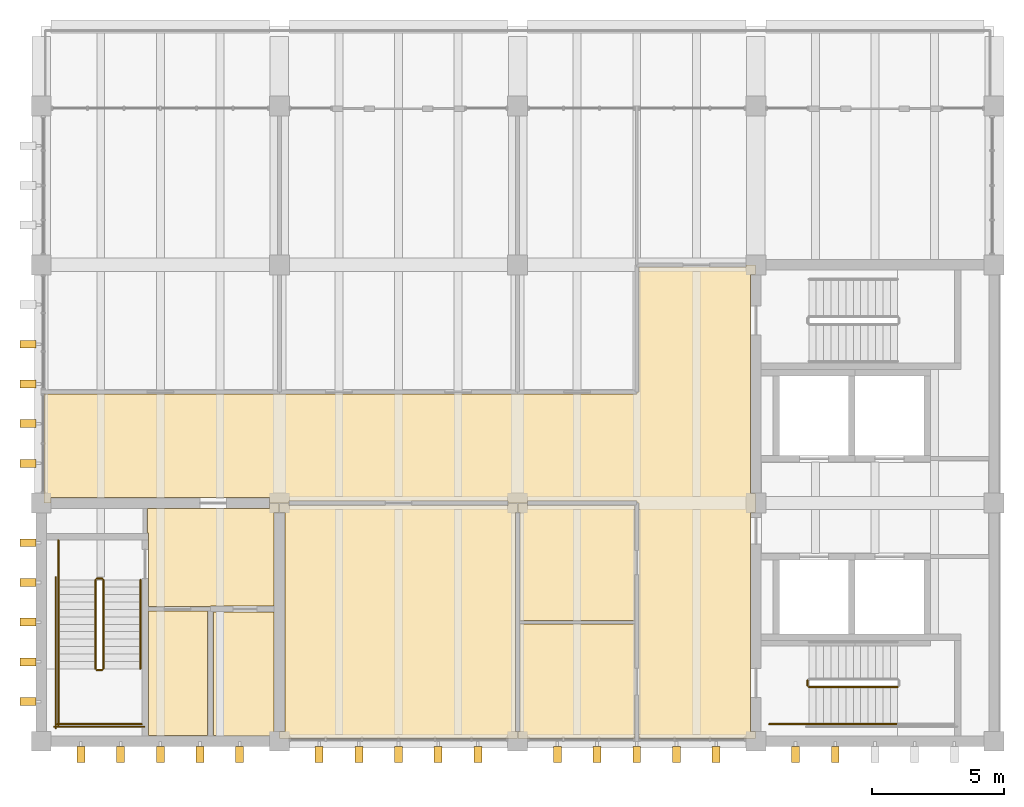
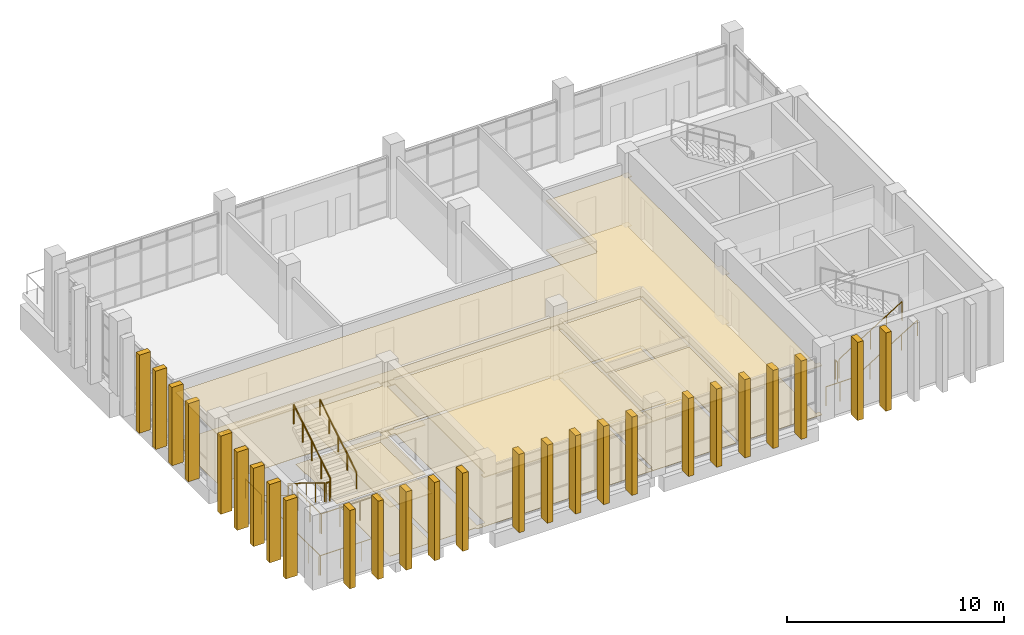
# One storey, part 12 of 15: 26 shading devices, 15 railings, 13 coverings.
"""IFC4 building model written with IfcOpenShell, lengths in metres."""

from ifc_helpers import new_model, si_unit, direction, frame, origin, origin_2d, place, context, subcontext, project, spatial, polyline, circle, outline, extrude, source, transform, mapped, material, layer, layer_set, type_object, element, save


model = new_model("IFC4")

# Units and contexts
model_context = context("Model", 3, precision=1e-05, world=origin(), true_north=direction((0.0, 1.0)))
body_context = subcontext(model_context, "Body", "Model", "MODEL_VIEW")
ifc_project = project(units=[si_unit("LENGTHUNIT", "METRE"), si_unit("AREAUNIT", "SQUARE_METRE"), si_unit("VOLUMEUNIT", "CUBIC_METRE"), si_unit("PLANEANGLEUNIT", "RADIAN"), si_unit("MASSUNIT", "GRAM", prefix="KILO")], contexts=[model_context])

# Site, building, storey
site_placement = place(None, origin())
site = spatial("IfcSite", under=ifc_project, at=site_placement, CompositionType="ELEMENT")
building_placement = place(site_placement, origin())
building = spatial("IfcBuilding", under=site, at=building_placement, Name="Merrow Basin Faculty of Sciences", CompositionType="ELEMENT")
storey_placement = place(building_placement, frame((0.0, 0.0, 31.5)))
storey = spatial("IfcBuildingStorey", under=building, at=storey_placement, Name="L07", CompositionType="ELEMENT", Elevation=31.5)

# Coverings
ifc_material_1 = material(Name="Carpet tile floor")
ifc_layer_1 = layer(ifc_material_1, 0.02001953125)
ifc_layer_set_1 = layer_set([ifc_layer_1], Name="Carpet tile floor")
covering_type_1 = type_object("IfcCoveringType", Name="Carpet tile floor", PredefinedType="FLOORING", material=ifc_layer_set_1)
covering_1_placement = place(storey_placement, origin())
element("IfcCovering", 1, at=covering_1_placement, inside=storey, type_object=covering_type_1, Name="Floor finish L07-T-011", PredefinedType="FLOORING", context=body_context, shape_type="SweptSolid", body=[
    extrude(outline(polyline([(26.989990234375, 142.110107421875), (26.635009765625, 142.110107421875), (26.635009765625, 142.2099609375), (24.510009765625, 142.2099609375), (24.510009765625, 146.889892578125), (26.7900390625, 146.889892578125), (26.7900390625, 142.364990234375), (26.989990234375, 142.364990234375), (26.989990234375, 142.110107421875)])), origin(), (0.0, 0.0, 1.0), 0.02001953125),
])
ifc_material_2 = material(Name="Ceramic floor tile")
ifc_layer_2 = layer(ifc_material_2, 0.02001953125)
ifc_layer_set_2 = layer_set([ifc_layer_2], Name="Ceramic floor tile")
covering_type_2 = type_object("IfcCoveringType", Name="Ceramic floor tile", PredefinedType="FLOORING", material=ifc_layer_set_2)
covering_2_placement = place(storey_placement, origin())
element("IfcCovering", 2, at=covering_2_placement, inside=storey, type_object=covering_type_2, Name="Floor finish L07-T-010", PredefinedType="FLOORING", context=body_context, shape_type="SweptSolid", body=[
    extrude(outline(polyline([(24.2900390625, 142.2099609375), (22.06005859375, 142.2099609375), (22.06005859375, 146.9150390625), (24.2900390625, 146.9150390625), (24.2900390625, 142.2099609375)])), origin(), (0.0, 0.0, 1.0), 0.02001953125),
])
covering_3_placement = place(storey_placement, origin())
element("IfcCovering", 3, at=covering_3_placement, inside=storey, type_object=covering_type_2, Name="Floor finish L07-T-012", PredefinedType="FLOORING", context=body_context, shape_type="SweptSolid", body=[
    extrude(outline(polyline([(36.010009765625, 142.110107421875), (36.010009765625, 142.364990234375), (36.0849609375, 142.364990234375), (36.0849609375, 146.43994140625), (40.4150390625, 146.43994140625), (40.4150390625, 142.110107421875), (36.010009765625, 142.110107421875)])), origin(), (0.0, 0.0, 1.0), 0.02001953125),
])
covering_4_placement = place(storey_placement, origin())
element("IfcCovering", 4, at=covering_4_placement, inside=storey, type_object=covering_type_2, Name="Floor finish L07-T-013", PredefinedType="FLOORING", context=body_context, shape_type="SweptSolid", body=[
    extrude(outline(polyline([(36.010009765625, 150.989990234375), (36.364990234375, 150.989990234375), (36.364990234375, 150.9150390625), (40.4150390625, 150.9150390625), (40.4150390625, 146.56005859375), (36.0849609375, 146.56005859375), (36.0849609375, 150.635009765625), (36.010009765625, 150.635009765625), (36.010009765625, 150.989990234375)])), origin(), (0.0, 0.0, 1.0), 0.02001953125),
])
ifc_material_3 = material(Name="Laboratory sheet vinyl floor")
ifc_layer_3 = layer(ifc_material_3, 0.02001953125)
ifc_layer_set_3 = layer_set([ifc_layer_3], Name="Laboratory sheet vinyl floor")
covering_type_3 = type_object("IfcCoveringType", Name="Laboratory sheet vinyl floor", PredefinedType="FLOORING", material=ifc_layer_set_3)
covering_5_placement = place(storey_placement, origin())
element("IfcCovering", 5, at=covering_5_placement, inside=storey, type_object=covering_type_3, Name="Floor finish L07-T-017", PredefinedType="FLOORING", context=body_context, shape_type="SweptSolid", body=[
    extrude(outline(polyline([(27.364990234375, 150.989990234375), (27.364990234375, 150.9150390625), (35.635009765625, 150.9150390625), (35.635009765625, 150.989990234375), (35.989990234375, 150.989990234375), (35.989990234375, 150.635009765625), (35.9150390625, 150.635009765625), (35.9150390625, 142.364990234375), (35.989990234375, 142.364990234375), (35.989990234375, 142.110107421875), (27.010009765625, 142.110107421875), (27.010009765625, 142.364990234375), (27.2099609375, 142.364990234375), (27.2099609375, 150.635009765625), (27.010009765625, 150.635009765625), (27.010009765625, 150.989990234375), (27.364990234375, 150.989990234375)])), origin(), (0.0, 0.0, 1.0), 0.02001953125),
])
ifc_material_4 = material(Name="Polished terrazzo floor")
ifc_layer_4 = layer(ifc_material_4, 0.02001953125)
ifc_layer_set_4 = layer_set([ifc_layer_4], Name="Polished terrazzo floor")
covering_type_4 = type_object("IfcCoveringType", Name="Polished terrazzo floor", PredefinedType="FLOORING", material=ifc_layer_set_4)
covering_6_placement = place(storey_placement, origin())
element("IfcCovering", 6, at=covering_6_placement, inside=storey, type_object=covering_type_4, Name="Floor finish L07-T-009", PredefinedType="FLOORING", context=body_context, shape_type="SweptSolid", body=[
    extrude(outline(polyline([(26.989990234375, 150.989990234375), (26.989990234375, 150.635009765625), (26.7900390625, 150.635009765625), (26.7900390625, 147.110107421875), (24.389892578125, 147.110107421875), (24.389892578125, 147.0849609375), (22.06005859375, 147.0849609375), (22.06005859375, 149.860107421875), (22.010009765625, 149.860107421875), (22.010009765625, 150.7900390625), (26.635009765625, 150.7900390625), (26.635009765625, 150.989990234375), (26.989990234375, 150.989990234375)])), origin(), (0.0, 0.0, 1.0), 0.02001953125),
])
covering_7_placement = place(storey_placement, origin())
element("IfcCovering", 7, at=covering_7_placement, inside=storey, type_object=covering_type_4, Name="Floor finish L07-T-019", PredefinedType="FLOORING", context=body_context, shape_type="SweptSolid", body=[
    extrude(outline(polyline([(44.989990234375, 159.635009765625), (44.7900390625, 159.635009765625), (44.7900390625, 151.364990234375), (44.989990234375, 151.364990234375), (44.989990234375, 150.635009765625), (44.7900390625, 150.635009765625), (44.7900390625, 142.364990234375), (44.989990234375, 142.364990234375), (44.989990234375, 142.110107421875), (40.5849609375, 142.110107421875), (40.5849609375, 151.010009765625), (40.510009765625, 151.010009765625), (40.510009765625, 151.0849609375), (36.364990234375, 151.0849609375), (36.364990234375, 151.010009765625), (35.635009765625, 151.010009765625), (35.635009765625, 151.0849609375), (27.364990234375, 151.0849609375), (27.364990234375, 151.010009765625), (26.635009765625, 151.010009765625), (26.635009765625, 151.2099609375), (18.364990234375, 151.2099609375), (18.364990234375, 151.010009765625), (18.110107421875, 151.010009765625), (18.110107421875, 155.114990234375), (40.510009765625, 155.114990234375), (40.510009765625, 155.18994140625), (40.5849609375, 155.18994140625), (40.5849609375, 159.9150390625), (44.635009765625, 159.9150390625), (44.635009765625, 159.989990234375), (44.989990234375, 159.989990234375), (44.989990234375, 159.635009765625)])), origin(), (0.0, 0.0, 1.0), 0.02001953125),
])

# Railings
ifc_material_5 = material(Name="Steel ASTM A36", Category="steel")
railing_type_1 = type_object("IfcRailingType", Name="Steel guard 1100", PredefinedType="GUARDRAIL", material=ifc_material_5)
railing_1_placement = place(storey_placement, frame((47.0, 144.050048828125, 0.173095703125)))
element("IfcRailing", 8, at=railing_1_placement, inside=storey, type_object=railing_type_1, Name="L07 ST-V5-N stair guard 1", PredefinedType="GUARDRAIL", context=body_context, shape_type="SweptSolid", body=[
    extrude(circle(Radius=0.02392578125, at=origin_2d()), frame((0.0, 0.0, 1.076171875), z_axis=(0.850623216509, 0.0, 0.525775754039), x_axis=(0.0, 1.0, 0.0)), (0.0, 0.0, 1.0), 3.9501953125),
    extrude(circle(Radius=0.02099609375, at=origin_2d()), origin(), (0.0, 0.0, 1.0), 1.052001953125),
    extrude(circle(Radius=0.02099609375, at=origin_2d()), frame((0.840087890625, 0.0, 0.519287109375)), (0.0, 0.0, 1.0), 1.052001953125),
    extrude(circle(Radius=0.02099609375, at=origin_2d()), frame((1.68017578125, 0.0, 1.03857421875)), (0.0, 0.0, 1.0), 1.052001953125),
    extrude(circle(Radius=0.02099609375, at=origin_2d()), frame((2.52001953125, 0.0, 1.5576171875)), (0.0, 0.0, 1.0), 1.052001953125),
    extrude(circle(Radius=0.02099609375, at=origin_2d()), frame((3.360107421875, 0.0, 2.076904296875)), (0.0, 0.0, 1.0), 1.052001953125),
])
railing_2_placement = place(storey_placement, frame((46.949951171875, 144.10009765625, 0.0)))
element("IfcRailing", 9, at=railing_2_placement, inside=storey, type_object=railing_type_1, Name="L07 ST-V5-N stair guard 5", PredefinedType="GUARDRAIL", context=body_context, shape_type="SweptSolid", body=[
    extrude(circle(Radius=0.02392578125, at=origin_2d()), frame((0.0, 0.0, 1.076171875), z_axis=(0.0, 1.0, 0.0), x_axis=(-1.0, 0.0, 0.0)), (0.0, 0.0, 1.0), 0.199951171875),
    extrude(circle(Radius=0.02099609375, at=origin_2d()), origin(), (0.0, 0.0, 1.0), 1.052001953125),
    extrude(circle(Radius=0.02099609375, at=origin_2d()), frame((0.0, 0.199951171875, 0.0)), (0.0, 0.0, 1.0), 1.052001953125),
])
railing_3_placement = place(storey_placement, frame((45.5, 142.64990234375, 0.0)))
element("IfcRailing", 10, at=railing_3_placement, inside=storey, type_object=railing_type_1, Name="L07 ST-V5-N stair guard 6", PredefinedType="GUARDRAIL", context=body_context, shape_type="SweptSolid", body=[
    extrude(circle(Radius=0.02392578125, at=origin_2d()), frame((0.0, 0.0, 1.076171875), z_axis=(1.0, 0.0, 0.0), x_axis=(0.0, 1.0, 0.0)), (0.0, 0.0, 1.0), 1.5),
    extrude(circle(Radius=0.02099609375, at=origin_2d()), origin(), (0.0, 0.0, 1.0), 1.052001953125),
    extrude(circle(Radius=0.02099609375, at=origin_2d()), frame((0.75, 0.0, 0.0)), (0.0, 0.0, 1.0), 1.052001953125),
    extrude(circle(Radius=0.02099609375, at=origin_2d()), frame((1.5, 0.0, 0.0)), (0.0, 0.0, 1.0), 1.052001953125),
])
railing_4_placement = place(storey_placement, frame((20.050048828125, 148.10009765625, 0.173095703125)))
element("IfcRailing", 11, at=railing_4_placement, inside=storey, type_object=railing_type_1, Name="L07 ST-V5-W stair guard 1", PredefinedType="GUARDRAIL", context=body_context, shape_type="SweptSolid", body=[
    extrude(circle(Radius=0.02392578125, at=origin_2d()), frame((0.0, 0.0, 1.076171875), z_axis=(0.0, -0.850623216509, 0.525775754039), x_axis=(1.0, 0.0, 0.0)), (0.0, 0.0, 1.0), 3.9501953125),
    extrude(circle(Radius=0.02099609375, at=origin_2d()), origin(), (0.0, 0.0, 1.0), 1.052001953125),
    extrude(circle(Radius=0.02099609375, at=origin_2d()), frame((0.0, -0.840087890625, 0.519287109375)), (0.0, 0.0, 1.0), 1.052001953125),
    extrude(circle(Radius=0.02099609375, at=origin_2d()), frame((0.0, -1.68017578125, 1.03857421875)), (0.0, 0.0, 1.0), 1.052001953125),
    extrude(circle(Radius=0.02099609375, at=origin_2d()), frame((0.0, -2.52001953125, 1.5576171875)), (0.0, 0.0, 1.0), 1.052001953125),
    extrude(circle(Radius=0.02099609375, at=origin_2d()), frame((0.0, -3.360107421875, 2.076904296875)), (0.0, 0.0, 1.0), 1.052001953125),
])
railing_5_placement = place(storey_placement, frame((20.10009765625, 144.68994140625, 2.25)))
element("IfcRailing", 12, at=railing_5_placement, inside=storey, type_object=railing_type_1, Name="L07 ST-V5-W stair guard 2", PredefinedType="GUARDRAIL", context=body_context, shape_type="SweptSolid", body=[
    extrude(circle(Radius=0.02392578125, at=origin_2d()), frame((0.0, 0.0, 1.076171875), z_axis=(1.0, 0.0, 0.0), x_axis=(0.0, 1.0, 0.0)), (0.0, 0.0, 1.0), 0.199951171875),
    extrude(circle(Radius=0.02099609375, at=origin_2d()), origin(), (0.0, 0.0, 1.0), 1.052001953125),
    extrude(circle(Radius=0.02099609375, at=origin_2d()), frame((0.199951171875, 0.0, 0.0)), (0.0, 0.0, 1.0), 1.052001953125),
])
railing_6_placement = place(storey_placement, frame((18.64990234375, 144.739990234375, 2.25)))
element("IfcRailing", 13, at=railing_6_placement, inside=storey, type_object=railing_type_1, Name="L07 ST-V5-W stair guard 3", PredefinedType="GUARDRAIL", context=body_context, shape_type="SweptSolid", body=[
    extrude(circle(Radius=0.02392578125, at=origin_2d()), frame((0.0, 0.0, 1.076171875), z_axis=(0.0, -1.0, 0.0), x_axis=(1.0, 0.0, 0.0)), (0.0, 0.0, 1.0), 2.139892578125),
    extrude(circle(Radius=0.02099609375, at=origin_2d()), origin(), (0.0, 0.0, 1.0), 1.052001953125),
    extrude(circle(Radius=0.02099609375, at=origin_2d()), frame((0.0, -1.06982421875, 0.0)), (0.0, 0.0, 1.0), 1.052001953125),
    extrude(circle(Radius=0.02099609375, at=origin_2d()), frame((0.0, -2.139892578125, 0.0)), (0.0, 0.0, 1.0), 1.052001953125),
])
railing_7_placement = place(storey_placement, frame((18.60009765625, 142.64990234375, 2.25)))
element("IfcRailing", 14, at=railing_7_placement, inside=storey, type_object=railing_type_1, Name="L07 ST-V5-W stair guard 4", PredefinedType="GUARDRAIL", context=body_context, shape_type="SweptSolid", body=[
    extrude(circle(Radius=0.02392578125, at=origin_2d()), frame((0.0, 0.0, 1.076171875), z_axis=(1.0, 0.0, 0.0), x_axis=(0.0, 1.0, 0.0)), (0.0, 0.0, 1.0), 3.199951171875),
    extrude(circle(Radius=0.02099609375, at=origin_2d()), origin(), (0.0, 0.0, 1.0), 1.052001953125),
    extrude(circle(Radius=0.02099609375, at=origin_2d()), frame((1.066650390625, 0.0, 0.0)), (0.0, 0.0, 1.0), 1.052001953125),
    extrude(circle(Radius=0.02099609375, at=origin_2d()), frame((2.13330078125, 0.0, 0.0)), (0.0, 0.0, 1.0), 1.052001953125),
    extrude(circle(Radius=0.02099609375, at=origin_2d()), frame((3.199951171875, 0.0, 0.0)), (0.0, 0.0, 1.0), 1.052001953125),
])
railing_8_placement = place(storey_placement, frame((20.35009765625, 144.739990234375, 2.423095703125)))
element("IfcRailing", 15, at=railing_8_placement, inside=storey, type_object=railing_type_1, Name="L07 ST-V5-W stair guard 5", PredefinedType="GUARDRAIL", context=body_context, shape_type="SweptSolid", body=[
    extrude(circle(Radius=0.02392578125, at=origin_2d()), frame((0.0, 0.0, 1.076171875), z_axis=(0.0, 0.850623216509, 0.525775754039), x_axis=(-1.0, 0.0, 0.0)), (0.0, 0.0, 1.0), 3.9501953125),
    extrude(circle(Radius=0.02099609375, at=origin_2d()), origin(), (0.0, 0.0, 1.0), 1.052001953125),
    extrude(circle(Radius=0.02099609375, at=origin_2d()), frame((0.0, 0.840087890625, 0.519287109375)), (0.0, 0.0, 1.0), 1.052001953125),
    extrude(circle(Radius=0.02099609375, at=origin_2d()), frame((0.0, 1.68017578125, 1.03857421875)), (0.0, 0.0, 1.0), 1.052001953125),
    extrude(circle(Radius=0.02099609375, at=origin_2d()), frame((0.0, 2.52001953125, 1.5576171875)), (0.0, 0.0, 1.0), 1.052001953125),
    extrude(circle(Radius=0.02099609375, at=origin_2d()), frame((0.0, 3.360107421875, 2.076904296875)), (0.0, 0.0, 1.0), 1.052001953125),
])
railing_9_placement = place(storey_placement, frame((20.10009765625, 148.14990234375, 0.0)))
element("IfcRailing", 16, at=railing_9_placement, inside=storey, type_object=railing_type_1, Name="L07 ST-V5-W stair guard 6", PredefinedType="GUARDRAIL", context=body_context, shape_type="SweptSolid", body=[
    extrude(circle(Radius=0.02392578125, at=origin_2d()), frame((0.0, 0.0, 1.076171875), z_axis=(1.0, 0.0, 0.0), x_axis=(0.0, 1.0, 0.0)), (0.0, 0.0, 1.0), 0.199951171875),
    extrude(circle(Radius=0.02099609375, at=origin_2d()), origin(), (0.0, 0.0, 1.0), 1.052001953125),
    extrude(circle(Radius=0.02099609375, at=origin_2d()), frame((0.199951171875, 0.0, 0.0)), (0.0, 0.0, 1.0), 1.052001953125),
])
railing_10_placement = place(storey_placement, frame((18.64990234375, 149.60009765625, 0.0)))
element("IfcRailing", 17, at=railing_10_placement, inside=storey, type_object=railing_type_1, Name="L07 ST-V5-W stair guard 7", PredefinedType="GUARDRAIL", context=body_context, shape_type="SweptSolid", body=[
    extrude(circle(Radius=0.02392578125, at=origin_2d()), frame((0.0, 0.0, 1.076171875), z_axis=(0.0, -1.0, 0.0), x_axis=(1.0, 0.0, 0.0)), (0.0, 0.0, 1.0), 1.5),
    extrude(circle(Radius=0.02099609375, at=origin_2d()), origin(), (0.0, 0.0, 1.0), 1.052001953125),
    extrude(circle(Radius=0.02099609375, at=origin_2d()), frame((0.0, -0.75, 0.0)), (0.0, 0.0, 1.0), 1.052001953125),
    extrude(circle(Radius=0.02099609375, at=origin_2d()), frame((0.0, -1.5, 0.0)), (0.0, 0.0, 1.0), 1.052001953125),
])
railing_11_placement = place(storey_placement, frame((18.550048828125, 148.199951171875, 0.0)))
element("IfcRailing", 18, at=railing_11_placement, inside=storey, type_object=railing_type_1, Name="L07 ST-V5-W stair guard 8", PredefinedType="GUARDRAIL", context=body_context, shape_type="SweptSolid", body=[
    extrude(circle(Radius=0.02392578125, at=origin_2d()), frame((0.0, 0.0, 1.076171875), z_axis=(0.0, -1.0, 0.0), x_axis=(1.0, 0.0, 0.0)), (0.0, 0.0, 1.0), 5.699951171875),
    extrude(circle(Radius=0.02099609375, at=origin_2d()), origin(), (0.0, 0.0, 1.0), 1.052001953125),
    extrude(circle(Radius=0.02099609375, at=origin_2d()), frame((0.0, -1.139892578125, 0.0)), (0.0, 0.0, 1.0), 1.052001953125),
    extrude(circle(Radius=0.02099609375, at=origin_2d()), frame((0.0, -2.280029296875, 0.0)), (0.0, 0.0, 1.0), 1.052001953125),
    extrude(circle(Radius=0.02099609375, at=origin_2d()), frame((0.0, -3.419921875, 0.0)), (0.0, 0.0, 1.0), 1.052001953125),
    extrude(circle(Radius=0.02099609375, at=origin_2d()), frame((0.0, -4.56005859375, 0.0)), (0.0, 0.0, 1.0), 1.052001953125),
    extrude(circle(Radius=0.02099609375, at=origin_2d()), frame((0.0, -5.699951171875, 0.0)), (0.0, 0.0, 1.0), 1.052001953125),
])
railing_12_placement = place(storey_placement, frame((18.5, 142.550048828125, 0.0)))
element("IfcRailing", 19, at=railing_12_placement, inside=storey, type_object=railing_type_1, Name="L07 ST-V5-W stair guard 9", PredefinedType="GUARDRAIL", context=body_context, shape_type="SweptSolid", body=[
    extrude(circle(Radius=0.02392578125, at=origin_2d()), frame((0.0, 0.0, 1.076171875), z_axis=(1.0, 0.0, 0.0), x_axis=(0.0, 1.0, 0.0)), (0.0, 0.0, 1.0), 3.39990234375),
    extrude(circle(Radius=0.02099609375, at=origin_2d()), origin(), (0.0, 0.0, 1.0), 1.052001953125),
    extrude(circle(Radius=0.02099609375, at=origin_2d()), frame((1.13330078125, 0.0, 0.0)), (0.0, 0.0, 1.0), 1.052001953125),
    extrude(circle(Radius=0.02099609375, at=origin_2d()), frame((2.2666015625, 0.0, 0.0)), (0.0, 0.0, 1.0), 1.052001953125),
    extrude(circle(Radius=0.02099609375, at=origin_2d()), frame((3.39990234375, 0.0, 0.0)), (0.0, 0.0, 1.0), 1.052001953125),
])
ifc_material_6 = material(Name="Steel ASTM A36", Category="steel")
railing_type_2 = type_object("IfcRailingType", Name="Steel handrail 900", PredefinedType="HANDRAIL", material=ifc_material_6)
railing_13_placement = place(storey_placement, frame((47.0, 142.64990234375, 0.173095703125)))
element("IfcRailing", 20, at=railing_13_placement, inside=storey, type_object=railing_type_2, Name="L07 ST-V5-N stair handrail 1", PredefinedType="HANDRAIL", context=body_context, shape_type="SweptSolid", body=[
    extrude(circle(Radius=0.02392578125, at=origin_2d()), frame((0.0, 0.0, 0.8759765625), z_axis=(0.850623216509, 0.0, 0.525775754039), x_axis=(0.0, 1.0, 0.0)), (0.0, 0.0, 1.0), 3.9501953125),
    extrude(circle(Radius=0.02099609375, at=origin_2d()), origin(), (0.0, 0.0, 1.0), 0.851806640625),
    extrude(circle(Radius=0.02099609375, at=origin_2d()), frame((0.840087890625, 0.0, 0.519287109375)), (0.0, 0.0, 1.0), 0.851806640625),
    extrude(circle(Radius=0.02099609375, at=origin_2d()), frame((1.68017578125, 0.0, 1.03857421875)), (0.0, 0.0, 1.0), 0.851806640625),
    extrude(circle(Radius=0.02099609375, at=origin_2d()), frame((2.52001953125, 0.0, 1.5576171875)), (0.0, 0.0, 1.0), 0.851806640625),
    extrude(circle(Radius=0.02099609375, at=origin_2d()), frame((3.360107421875, 0.0, 2.076904296875)), (0.0, 0.0, 1.0), 0.851806640625),
])
railing_14_placement = place(storey_placement, frame((18.64990234375, 148.10009765625, 0.173095703125)))
element("IfcRailing", 21, at=railing_14_placement, inside=storey, type_object=railing_type_2, Name="L07 ST-V5-W stair handrail 1", PredefinedType="HANDRAIL", context=body_context, shape_type="SweptSolid", body=[
    extrude(circle(Radius=0.02392578125, at=origin_2d()), frame((0.0, 0.0, 0.8759765625), z_axis=(0.0, -0.850623216509, 0.525775754039), x_axis=(1.0, 0.0, 0.0)), (0.0, 0.0, 1.0), 3.9501953125),
    extrude(circle(Radius=0.02099609375, at=origin_2d()), origin(), (0.0, 0.0, 1.0), 0.851806640625),
    extrude(circle(Radius=0.02099609375, at=origin_2d()), frame((0.0, -0.840087890625, 0.519287109375)), (0.0, 0.0, 1.0), 0.851806640625),
    extrude(circle(Radius=0.02099609375, at=origin_2d()), frame((0.0, -1.68017578125, 1.03857421875)), (0.0, 0.0, 1.0), 0.851806640625),
    extrude(circle(Radius=0.02099609375, at=origin_2d()), frame((0.0, -2.52001953125, 1.5576171875)), (0.0, 0.0, 1.0), 0.851806640625),
    extrude(circle(Radius=0.02099609375, at=origin_2d()), frame((0.0, -3.360107421875, 2.076904296875)), (0.0, 0.0, 1.0), 0.851806640625),
])
railing_15_placement = place(storey_placement, frame((21.75, 144.739990234375, 2.423095703125)))
element("IfcRailing", 22, at=railing_15_placement, inside=storey, type_object=railing_type_2, Name="L07 ST-V5-W stair handrail 2", PredefinedType="HANDRAIL", context=body_context, shape_type="SweptSolid", body=[
    extrude(circle(Radius=0.02392578125, at=origin_2d()), frame((0.0, 0.0, 0.8759765625), z_axis=(0.0, 0.850623216509, 0.525775754039), x_axis=(-1.0, 0.0, 0.0)), (0.0, 0.0, 1.0), 3.9501953125),
    extrude(circle(Radius=0.02099609375, at=origin_2d()), origin(), (0.0, 0.0, 1.0), 0.851806640625),
    extrude(circle(Radius=0.02099609375, at=origin_2d()), frame((0.0, 0.840087890625, 0.519287109375)), (0.0, 0.0, 1.0), 0.851806640625),
    extrude(circle(Radius=0.02099609375, at=origin_2d()), frame((0.0, 1.68017578125, 1.03857421875)), (0.0, 0.0, 1.0), 0.851806640625),
    extrude(circle(Radius=0.02099609375, at=origin_2d()), frame((0.0, 2.52001953125, 1.5576171875)), (0.0, 0.0, 1.0), 0.851806640625),
    extrude(circle(Radius=0.02099609375, at=origin_2d()), frame((0.0, 3.360107421875, 2.076904296875)), (0.0, 0.0, 1.0), 0.851806640625),
])

# Coverings
ifc_material_7 = material(Name="Mineral fibre ceiling tile")
ifc_layer_5 = layer(ifc_material_7, 0.050048828125)
ifc_layer_set_5 = layer_set([ifc_layer_5], Name="Suspended acoustic ceiling tile")
covering_type_5 = type_object("IfcCoveringType", Name="Suspended acoustic ceiling tile", PredefinedType="CEILING", material=ifc_layer_set_5)
covering_8_placement = place(storey_placement, frame((0.0, 0.0, 2.75)))
element("IfcCovering", 23, at=covering_8_placement, inside=storey, type_object=covering_type_5, Name="Ceiling L07-T-009", PredefinedType="CEILING", context=body_context, shape_type="SweptSolid", body=[
    extrude(outline(polyline([(26.989990234375, 150.989990234375), (26.989990234375, 150.635009765625), (26.7900390625, 150.635009765625), (26.7900390625, 147.110107421875), (24.389892578125, 147.110107421875), (24.389892578125, 147.0849609375), (22.06005859375, 147.0849609375), (22.06005859375, 149.860107421875), (22.010009765625, 149.860107421875), (22.010009765625, 150.7900390625), (26.635009765625, 150.7900390625), (26.635009765625, 150.989990234375), (26.989990234375, 150.989990234375)])), origin(), (0.0, 0.0, 1.0), 0.050048828125),
])
covering_9_placement = place(storey_placement, frame((0.0, 0.0, 2.75)))
element("IfcCovering", 24, at=covering_9_placement, inside=storey, type_object=covering_type_5, Name="Ceiling L07-T-010", PredefinedType="CEILING", context=body_context, shape_type="SweptSolid", body=[
    extrude(outline(polyline([(24.2900390625, 142.2099609375), (22.06005859375, 142.2099609375), (22.06005859375, 146.9150390625), (24.2900390625, 146.9150390625), (24.2900390625, 142.2099609375)])), origin(), (0.0, 0.0, 1.0), 0.050048828125),
])
covering_10_placement = place(storey_placement, frame((0.0, 0.0, 2.75)))
element("IfcCovering", 25, at=covering_10_placement, inside=storey, type_object=covering_type_5, Name="Ceiling L07-T-012", PredefinedType="CEILING", context=body_context, shape_type="SweptSolid", body=[
    extrude(outline(polyline([(36.010009765625, 142.110107421875), (36.010009765625, 142.364990234375), (36.0849609375, 142.364990234375), (36.0849609375, 146.43994140625), (40.4150390625, 146.43994140625), (40.4150390625, 142.110107421875), (36.010009765625, 142.110107421875)])), origin(), (0.0, 0.0, 1.0), 0.050048828125),
])
covering_11_placement = place(storey_placement, frame((0.0, 0.0, 2.75)))
element("IfcCovering", 26, at=covering_11_placement, inside=storey, type_object=covering_type_5, Name="Ceiling L07-T-013", PredefinedType="CEILING", context=body_context, shape_type="SweptSolid", body=[
    extrude(outline(polyline([(36.010009765625, 150.989990234375), (36.364990234375, 150.989990234375), (36.364990234375, 150.9150390625), (40.4150390625, 150.9150390625), (40.4150390625, 146.56005859375), (36.0849609375, 146.56005859375), (36.0849609375, 150.635009765625), (36.010009765625, 150.635009765625), (36.010009765625, 150.989990234375)])), origin(), (0.0, 0.0, 1.0), 0.050048828125),
])
covering_12_placement = place(storey_placement, frame((0.0, 0.0, 2.75)))
element("IfcCovering", 27, at=covering_12_placement, inside=storey, type_object=covering_type_5, Name="Ceiling L07-T-017", PredefinedType="CEILING", context=body_context, shape_type="SweptSolid", body=[
    extrude(outline(polyline([(27.364990234375, 150.989990234375), (27.364990234375, 150.9150390625), (35.635009765625, 150.9150390625), (35.635009765625, 150.989990234375), (35.989990234375, 150.989990234375), (35.989990234375, 150.635009765625), (35.9150390625, 150.635009765625), (35.9150390625, 142.364990234375), (35.989990234375, 142.364990234375), (35.989990234375, 142.110107421875), (27.010009765625, 142.110107421875), (27.010009765625, 142.364990234375), (27.2099609375, 142.364990234375), (27.2099609375, 150.635009765625), (27.010009765625, 150.635009765625), (27.010009765625, 150.989990234375), (27.364990234375, 150.989990234375)])), origin(), (0.0, 0.0, 1.0), 0.050048828125),
])
covering_13_placement = place(storey_placement, frame((0.0, 0.0, 2.75)))
element("IfcCovering", 28, at=covering_13_placement, inside=storey, type_object=covering_type_5, Name="Ceiling L07-T-019", PredefinedType="CEILING", context=body_context, shape_type="SweptSolid", body=[
    extrude(outline(polyline([(44.989990234375, 159.635009765625), (44.7900390625, 159.635009765625), (44.7900390625, 151.364990234375), (44.989990234375, 151.364990234375), (44.989990234375, 150.635009765625), (44.7900390625, 150.635009765625), (44.7900390625, 142.364990234375), (44.989990234375, 142.364990234375), (44.989990234375, 142.110107421875), (40.5849609375, 142.110107421875), (40.5849609375, 151.010009765625), (40.510009765625, 151.010009765625), (40.510009765625, 151.0849609375), (36.364990234375, 151.0849609375), (36.364990234375, 151.010009765625), (35.635009765625, 151.010009765625), (35.635009765625, 151.0849609375), (27.364990234375, 151.0849609375), (27.364990234375, 151.010009765625), (26.635009765625, 151.010009765625), (26.635009765625, 151.2099609375), (18.364990234375, 151.2099609375), (18.364990234375, 151.010009765625), (18.110107421875, 151.010009765625), (18.110107421875, 155.114990234375), (40.510009765625, 155.114990234375), (40.510009765625, 155.18994140625), (40.5849609375, 155.18994140625), (40.5849609375, 159.9150390625), (44.635009765625, 159.9150390625), (44.635009765625, 159.989990234375), (44.989990234375, 159.989990234375), (44.989990234375, 159.635009765625)])), origin(), (0.0, 0.0, 1.0), 0.050048828125),
])

# Shading devices
ifc_material_8 = material(Name="White precast concrete C50/60", Category="concrete")
shading_device_type = type_object("IfcShadingDeviceType", Name="White precast fin 300 x 600", PredefinedType="USERDEFINED", material=ifc_material_8)
shared_shape = source(origin(), body_context, "Body", "SweptSolid", [
    extrude(outline(polyline([(0.0, 0.0), (0.300048828125, 0.0), (0.300048828125, 4.39990234375), (0.0, 4.39990234375), (0.0, 0.0)])), origin(), (0.0, 0.0, 1.0), 0.60009765625),
])
for number, where, z_axis, x_axis, name in (
    (29, (19.35009765625, 141.800048828125, -0.25), (0.0, -1.0, 0.0), (1.0, 0.0, 0.0), "Brise-soleil fin SL07"),
    (30, (20.85009765625, 141.800048828125, -0.25), (0.0, -1.0, 0.0), (1.0, 0.0, 0.0), "Brise-soleil fin SL07"),
    (31, (22.35009765625, 141.800048828125, -0.25), (0.0, -1.0, 0.0), (1.0, 0.0, 0.0), "Brise-soleil fin SL07"),
    (32, (23.85009765625, 141.800048828125, -0.25), (0.0, -1.0, 0.0), (1.0, 0.0, 0.0), "Brise-soleil fin SL07"),
    (33, (25.35009765625, 141.800048828125, -0.25), (0.0, -1.0, 0.0), (1.0, 0.0, 0.0), "Brise-soleil fin SL07"),
    (34, (28.35009765625, 141.800048828125, -0.25), (0.0, -1.0, 0.0), (1.0, 0.0, 0.0), "Brise-soleil fin SL07"),
    (35, (29.85009765625, 141.800048828125, -0.25), (0.0, -1.0, 0.0), (1.0, 0.0, 0.0), "Brise-soleil fin SL07"),
    (36, (31.35009765625, 141.800048828125, -0.25), (0.0, -1.0, 0.0), (1.0, 0.0, 0.0), "Brise-soleil fin SL07"),
    (37, (32.85009765625, 141.800048828125, -0.25), (0.0, -1.0, 0.0), (1.0, 0.0, 0.0), "Brise-soleil fin SL07"),
    (38, (34.35009765625, 141.800048828125, -0.25), (0.0, -1.0, 0.0), (1.0, 0.0, 0.0), "Brise-soleil fin SL07"),
    (39, (37.35009765625, 141.800048828125, -0.25), (0.0, -1.0, 0.0), (1.0, 0.0, 0.0), "Brise-soleil fin SL07"),
    (40, (38.85009765625, 141.800048828125, -0.25), (0.0, -1.0, 0.0), (1.0, 0.0, 0.0), "Brise-soleil fin SL07"),
    (41, (40.35009765625, 141.800048828125, -0.25), (0.0, -1.0, 0.0), (1.0, 0.0, 0.0), "Brise-soleil fin SL07"),
    (42, (41.85009765625, 141.800048828125, -0.25), (0.0, -1.0, 0.0), (1.0, 0.0, 0.0), "Brise-soleil fin SL07"),
    (43, (43.35009765625, 141.800048828125, -0.25), (0.0, -1.0, 0.0), (1.0, 0.0, 0.0), "Brise-soleil fin SL07"),
    (44, (46.35009765625, 141.800048828125, -0.25), (0.0, -1.0, 0.0), (1.0, 0.0, 0.0), "Brise-soleil fin SL07"),
    (45, (47.85009765625, 141.800048828125, -0.25), (0.0, -1.0, 0.0), (1.0, 0.0, 0.0), "Brise-soleil fin SL07"),
    (46, (17.800048828125, 143.64990234375, -0.25), (-1.0, 0.0, 0.0), (0.0, -1.0, 0.0), "Brise-soleil fin WL07"),
    (47, (17.800048828125, 145.14990234375, -0.25), (-1.0, 0.0, 0.0), (0.0, -1.0, 0.0), "Brise-soleil fin WL07"),
    (48, (17.800048828125, 146.64990234375, -0.25), (-1.0, 0.0, 0.0), (0.0, -1.0, 0.0), "Brise-soleil fin WL07"),
    (49, (17.800048828125, 148.14990234375, -0.25), (-1.0, 0.0, 0.0), (0.0, -1.0, 0.0), "Brise-soleil fin WL07"),
    (50, (17.800048828125, 149.64990234375, -0.25), (-1.0, 0.0, 0.0), (0.0, -1.0, 0.0), "Brise-soleil fin WL07"),
    (51, (17.800048828125, 152.64990234375, -0.25), (-1.0, 0.0, 0.0), (0.0, -1.0, 0.0), "Brise-soleil fin WL07"),
    (52, (17.800048828125, 154.14990234375, -0.25), (-1.0, 0.0, 0.0), (0.0, -1.0, 0.0), "Brise-soleil fin WL07"),
    (53, (17.800048828125, 155.64990234375, -0.25), (-1.0, 0.0, 0.0), (0.0, -1.0, 0.0), "Brise-soleil fin WL07"),
    (54, (17.800048828125, 157.14990234375, -0.25), (-1.0, 0.0, 0.0), (0.0, -1.0, 0.0), "Brise-soleil fin WL07"),
):
    element("IfcShadingDevice", number, at=place(storey_placement, frame(where, z_axis=z_axis, x_axis=x_axis)), inside=storey, type_object=shading_device_type, Name=name, ObjectType="FIN", PredefinedType="USERDEFINED", context=body_context, shape_type="MappedRepresentation", body=[
        mapped(shared_shape, transform((0.0, 0.0, 0.0), scale=1.0)),
    ])

save(model, "model.ifc")
